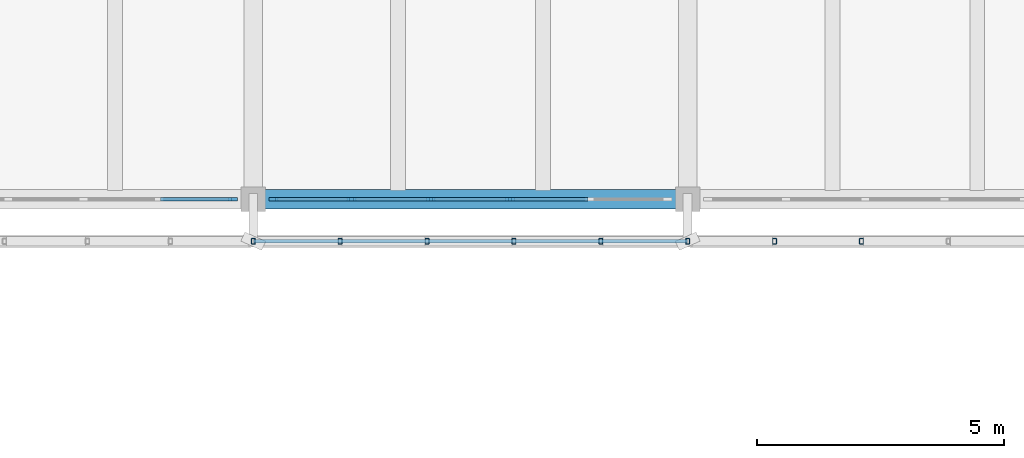
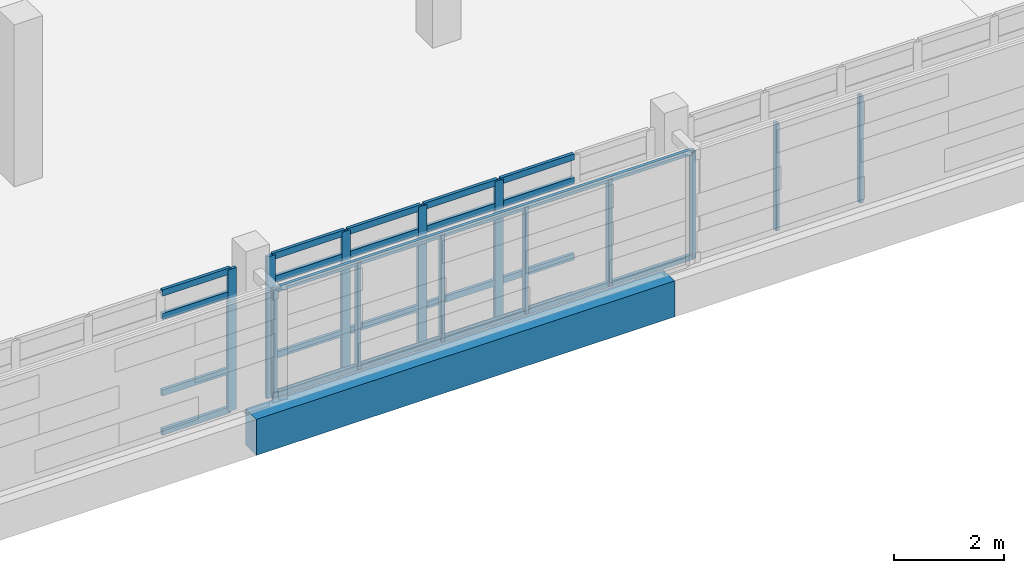
# One storey, part 12 of 50: 35 members, 1 beam, 2 elements without a shape of their own.
"""IFC4 building model written with IfcOpenShell, lengths in metres."""

from ifc_helpers import new_model, si_unit, direction, frame, origin, origin_2d, place, context, subcontext, project, spatial, rectangle, hollow_rectangle, extrude, material, material_profile, profile_set, type_object, element, aggregate, save


model = new_model("IFC4")

# Units and contexts
model_context = context("Model", 3, precision=1e-05, world=origin(), true_north=direction((0.0, 1.0)))
body_context = subcontext(model_context, "Body", "Model", "MODEL_VIEW")
ifc_project = project(units=[si_unit("LENGTHUNIT", "METRE"), si_unit("AREAUNIT", "SQUARE_METRE"), si_unit("VOLUMEUNIT", "CUBIC_METRE"), si_unit("PLANEANGLEUNIT", "RADIAN"), si_unit("MASSUNIT", "GRAM", prefix="KILO")], contexts=[model_context])

# Site, building, storey
site_placement = place(None, origin())
site = spatial("IfcSite", under=ifc_project, at=site_placement, CompositionType="ELEMENT")
building_placement = place(site_placement, origin())
building = spatial("IfcBuilding", under=site, at=building_placement, Name="Cinderway Yard Community Centre", CompositionType="ELEMENT")
storey_placement = place(building_placement, frame((0.0, 0.0, 12.89990234375)))
storey = spatial("IfcBuildingStorey", under=building, at=storey_placement, Name="L03", CompositionType="ELEMENT", Elevation=12.89990234375)

# Curtain wall, member
ifc_material_1 = material(Name="Aluminium 6063-T6", Category="aluminium")
curtain_wall_type_1 = type_object("IfcCurtainWallType", Name="ENV-CW-TYPE-32", PredefinedType="USERDEFINED", material=ifc_material_1)
curtain_wall_1_placement = place(storey_placement, origin())
curtain_wall_1 = element("IfcCurtainWall", 1, at=curtain_wall_1_placement, inside=storey, type_object=curtain_wall_type_1, Name="V4 Courtyard Curtain Wall ENV-CW-L03-HS-0164", ObjectType="GLAZED CURTAIN WALL", PredefinedType="USERDEFINED")
ifc_material_profile_1 = material_profile(ifc_material_1, rectangle(XDim=0.06494140625, YDim=0.179931640625, at=origin_2d()), Name="Aluminium 6063-T6")
ifc_profile_set_1 = profile_set([ifc_material_profile_1], Name="Aluminium 6063-T6")
member_type_1 = type_object("IfcMemberType", Name="ENV-CW-MULL-180", PredefinedType="MULLION", material=ifc_profile_set_1)
member_1_placement = place(storey_placement, frame((74.7900390625, 90.0, 0.0), z_axis=(0.0, 0.0, 1.0), x_axis=(0.0, 1.0, 0.0)))
member_1 = element("IfcMember", 2, at=member_1_placement, type_object=member_type_1, Name="CW-32 mullion 6", PredefinedType="MULLION", context=body_context, shape_type="SweptSolid", body=[
    extrude(rectangle(XDim=0.06494140625, YDim=0.179931640625, at=origin_2d()), origin(), (0.0, 0.0, 1.0), 3.150146484375),
])

# Curtain wall, members
curtain_wall_type_2 = type_object("IfcCurtainWallType", Name="ENV-CW-TYPE-33", PredefinedType="USERDEFINED", material=ifc_material_1)
curtain_wall_2_placement = place(storey_placement, origin())
curtain_wall_2 = element("IfcCurtainWall", 3, at=curtain_wall_2_placement, inside=storey, type_object=curtain_wall_type_2, Name="V4 Courtyard Curtain Wall ENV-CW-L03-HS-0165", ObjectType="GLAZED CURTAIN WALL", PredefinedType="USERDEFINED")
member_2_placement = place(storey_placement, frame((75.610107421875, 90.0, 0.0), z_axis=(0.0, 0.0, 1.0), x_axis=(0.0, 1.0, 0.0)))
member_2 = element("IfcMember", 4, at=member_2_placement, type_object=member_type_1, Name="CW-33 mullion 1", PredefinedType="MULLION", context=body_context, shape_type="SweptSolid", body=[
    extrude(rectangle(XDim=0.06494140625, YDim=0.179931640625, at=origin_2d()), origin(), (0.0, 0.0, 1.0), 3.150146484375),
])
member_3_placement = place(storey_placement, frame((77.18798828125, 90.0, 0.0), z_axis=(0.0, 0.0, 1.0), x_axis=(0.0, 1.0, 0.0)))
member_3 = element("IfcMember", 5, at=member_3_placement, type_object=member_type_1, Name="CW-33 mullion 2", PredefinedType="MULLION", context=body_context, shape_type="SweptSolid", body=[
    extrude(rectangle(XDim=0.06494140625, YDim=0.179931640625, at=origin_2d()), origin(), (0.0, 0.0, 1.0), 3.150146484375),
])
member_4_placement = place(storey_placement, frame((78.7958984375, 90.0, 0.0), z_axis=(0.0, 0.0, 1.0), x_axis=(0.0, 1.0, 0.0)))
member_4 = element("IfcMember", 6, at=member_4_placement, type_object=member_type_1, Name="CW-33 mullion 3", PredefinedType="MULLION", context=body_context, shape_type="SweptSolid", body=[
    extrude(rectangle(XDim=0.06494140625, YDim=0.179931640625, at=origin_2d()), origin(), (0.0, 0.0, 1.0), 3.150146484375),
])
member_5_placement = place(storey_placement, frame((80.404052734375, 90.0, 0.0), z_axis=(0.0, 0.0, 1.0), x_axis=(0.0, 1.0, 0.0)))
member_5 = element("IfcMember", 7, at=member_5_placement, type_object=member_type_1, Name="CW-33 mullion 4", PredefinedType="MULLION", context=body_context, shape_type="SweptSolid", body=[
    extrude(rectangle(XDim=0.06494140625, YDim=0.179931640625, at=origin_2d()), origin(), (0.0, 0.0, 1.0), 3.150146484375),
])

# Member
ifc_material_profile_2 = material_profile(ifc_material_1, rectangle(XDim=0.06494140625, YDim=0.139892578125, at=origin_2d()), Name="Aluminium 6063-T6")
ifc_profile_set_2 = profile_set([ifc_material_profile_2], Name="Aluminium 6063-T6")
member_type_2 = type_object("IfcMemberType", Name="ENV-CW-TRAN-140", PredefinedType="USERDEFINED", material=ifc_profile_set_2)
member_6_placement = place(storey_placement, frame((73.322021484375, 90.0, 0.030029296875), z_axis=(1.0, 0.0, 0.0), x_axis=(0.0, 1.0, 0.0)))
member_6 = element("IfcMember", 8, at=member_6_placement, type_object=member_type_2, Name="CW-32 transom 5.1", ObjectType="TRANSOM", PredefinedType="USERDEFINED", context=body_context, shape_type="SweptSolid", body=[
    extrude(rectangle(XDim=0.06494140625, YDim=0.139892578125, at=origin_2d()), origin(), (0.0, 0.0, 1.0), 1.43798828125),
])

member_7_placement = place(storey_placement, frame((73.322021484375, 90.0, 0.900146484375), z_axis=(1.0, 0.0, 0.0), x_axis=(0.0, 1.0, 0.0)))
member_7 = element("IfcMember", 9, at=member_7_placement, type_object=member_type_2, Name="CW-32 transom 5.2", ObjectType="TRANSOM", PredefinedType="USERDEFINED", context=body_context, shape_type="SweptSolid", body=[
    extrude(rectangle(XDim=0.06494140625, YDim=0.139892578125, at=origin_2d()), origin(), (0.0, 0.0, 1.0), 1.43798828125),
])

member_8_placement = place(storey_placement, frame((73.322021484375, 90.0, 2.60009765625), z_axis=(1.0, 0.0, 0.0), x_axis=(0.0, 1.0, 0.0)))
member_8 = element("IfcMember", 10, at=member_8_placement, type_object=member_type_2, Name="CW-32 transom 5.3", ObjectType="TRANSOM", PredefinedType="USERDEFINED", context=body_context, shape_type="SweptSolid", body=[
    extrude(rectangle(XDim=0.06494140625, YDim=0.139892578125, at=origin_2d()), origin(), (0.0, 0.0, 1.0), 1.43798828125),
])

member_9_placement = place(storey_placement, frame((73.322021484375, 90.0, 3.1201171875), z_axis=(1.0, 0.0, 0.0), x_axis=(0.0, 1.0, 0.0)))
member_9 = element("IfcMember", 11, at=member_9_placement, type_object=member_type_2, Name="CW-32 transom 5.4", ObjectType="TRANSOM", PredefinedType="USERDEFINED", context=body_context, shape_type="SweptSolid", body=[
    extrude(rectangle(XDim=0.06494140625, YDim=0.139892578125, at=origin_2d()), origin(), (0.0, 0.0, 1.0), 1.43798828125),
])

aggregate(curtain_wall_1, [member_1, member_6, member_7, member_8, member_9])

member_10_placement = place(storey_placement, frame((75.639892578125, 90.0, 0.030029296875), z_axis=(1.0, 0.0, 0.0), x_axis=(0.0, 1.0, 0.0)))
member_10 = element("IfcMember", 12, at=member_10_placement, type_object=member_type_2, Name="CW-33 transom 1.1", ObjectType="TRANSOM", PredefinedType="USERDEFINED", context=body_context, shape_type="SweptSolid", body=[
    extrude(rectangle(XDim=0.06494140625, YDim=0.139892578125, at=origin_2d()), origin(), (0.0, 0.0, 1.0), 1.51806640625),
])

member_11_placement = place(storey_placement, frame((75.639892578125, 90.0, 0.900146484375), z_axis=(1.0, 0.0, 0.0), x_axis=(0.0, 1.0, 0.0)))
member_11 = element("IfcMember", 13, at=member_11_placement, type_object=member_type_2, Name="CW-33 transom 1.2", ObjectType="TRANSOM", PredefinedType="USERDEFINED", context=body_context, shape_type="SweptSolid", body=[
    extrude(rectangle(XDim=0.06494140625, YDim=0.139892578125, at=origin_2d()), origin(), (0.0, 0.0, 1.0), 1.51806640625),
])

member_12_placement = place(storey_placement, frame((75.639892578125, 90.0, 2.60009765625), z_axis=(1.0, 0.0, 0.0), x_axis=(0.0, 1.0, 0.0)))
member_12 = element("IfcMember", 14, at=member_12_placement, type_object=member_type_2, Name="CW-33 transom 1.3", ObjectType="TRANSOM", PredefinedType="USERDEFINED", context=body_context, shape_type="SweptSolid", body=[
    extrude(rectangle(XDim=0.06494140625, YDim=0.139892578125, at=origin_2d()), origin(), (0.0, 0.0, 1.0), 1.51806640625),
])

member_13_placement = place(storey_placement, frame((75.639892578125, 90.0, 3.1201171875), z_axis=(1.0, 0.0, 0.0), x_axis=(0.0, 1.0, 0.0)))
member_13 = element("IfcMember", 15, at=member_13_placement, type_object=member_type_2, Name="CW-33 transom 1.4", ObjectType="TRANSOM", PredefinedType="USERDEFINED", context=body_context, shape_type="SweptSolid", body=[
    extrude(rectangle(XDim=0.06494140625, YDim=0.139892578125, at=origin_2d()), origin(), (0.0, 0.0, 1.0), 1.51806640625),
])

member_14_placement = place(storey_placement, frame((77.218017578125, 90.0, 0.030029296875), z_axis=(1.0, 0.0, 0.0), x_axis=(0.0, 1.0, 0.0)))
member_14 = element("IfcMember", 16, at=member_14_placement, type_object=member_type_2, Name="CW-33 transom 2.1", ObjectType="TRANSOM", PredefinedType="USERDEFINED", context=body_context, shape_type="SweptSolid", body=[
    extrude(rectangle(XDim=0.06494140625, YDim=0.139892578125, at=origin_2d()), origin(), (0.0, 0.0, 1.0), 1.548095703125),
])

member_15_placement = place(storey_placement, frame((77.218017578125, 90.0, 0.900146484375), z_axis=(1.0, 0.0, 0.0), x_axis=(0.0, 1.0, 0.0)))
member_15 = element("IfcMember", 17, at=member_15_placement, type_object=member_type_2, Name="CW-33 transom 2.2", ObjectType="TRANSOM", PredefinedType="USERDEFINED", context=body_context, shape_type="SweptSolid", body=[
    extrude(rectangle(XDim=0.06494140625, YDim=0.139892578125, at=origin_2d()), origin(), (0.0, 0.0, 1.0), 1.548095703125),
])

member_16_placement = place(storey_placement, frame((77.218017578125, 90.0, 2.60009765625), z_axis=(1.0, 0.0, 0.0), x_axis=(0.0, 1.0, 0.0)))
member_16 = element("IfcMember", 18, at=member_16_placement, type_object=member_type_2, Name="CW-33 transom 2.3", ObjectType="TRANSOM", PredefinedType="USERDEFINED", context=body_context, shape_type="SweptSolid", body=[
    extrude(rectangle(XDim=0.06494140625, YDim=0.139892578125, at=origin_2d()), origin(), (0.0, 0.0, 1.0), 1.548095703125),
])

member_17_placement = place(storey_placement, frame((77.218017578125, 90.0, 3.1201171875), z_axis=(1.0, 0.0, 0.0), x_axis=(0.0, 1.0, 0.0)))
member_17 = element("IfcMember", 19, at=member_17_placement, type_object=member_type_2, Name="CW-33 transom 2.4", ObjectType="TRANSOM", PredefinedType="USERDEFINED", context=body_context, shape_type="SweptSolid", body=[
    extrude(rectangle(XDim=0.06494140625, YDim=0.139892578125, at=origin_2d()), origin(), (0.0, 0.0, 1.0), 1.548095703125),
])

member_18_placement = place(storey_placement, frame((78.825927734375, 90.0, 0.030029296875), z_axis=(1.0, 0.0, 0.0), x_axis=(0.0, 1.0, 0.0)))
member_18 = element("IfcMember", 20, at=member_18_placement, type_object=member_type_2, Name="CW-33 transom 3.1", ObjectType="TRANSOM", PredefinedType="USERDEFINED", context=body_context, shape_type="SweptSolid", body=[
    extrude(rectangle(XDim=0.06494140625, YDim=0.139892578125, at=origin_2d()), origin(), (0.0, 0.0, 1.0), 1.548095703125),
])

member_19_placement = place(storey_placement, frame((78.825927734375, 90.0, 0.900146484375), z_axis=(1.0, 0.0, 0.0), x_axis=(0.0, 1.0, 0.0)))
member_19 = element("IfcMember", 21, at=member_19_placement, type_object=member_type_2, Name="CW-33 transom 3.2", ObjectType="TRANSOM", PredefinedType="USERDEFINED", context=body_context, shape_type="SweptSolid", body=[
    extrude(rectangle(XDim=0.06494140625, YDim=0.139892578125, at=origin_2d()), origin(), (0.0, 0.0, 1.0), 1.548095703125),
])

member_20_placement = place(storey_placement, frame((78.825927734375, 90.0, 2.60009765625), z_axis=(1.0, 0.0, 0.0), x_axis=(0.0, 1.0, 0.0)))
member_20 = element("IfcMember", 22, at=member_20_placement, type_object=member_type_2, Name="CW-33 transom 3.3", ObjectType="TRANSOM", PredefinedType="USERDEFINED", context=body_context, shape_type="SweptSolid", body=[
    extrude(rectangle(XDim=0.06494140625, YDim=0.139892578125, at=origin_2d()), origin(), (0.0, 0.0, 1.0), 1.548095703125),
])

member_21_placement = place(storey_placement, frame((78.825927734375, 90.0, 3.1201171875), z_axis=(1.0, 0.0, 0.0), x_axis=(0.0, 1.0, 0.0)))
member_21 = element("IfcMember", 23, at=member_21_placement, type_object=member_type_2, Name="CW-33 transom 3.4", ObjectType="TRANSOM", PredefinedType="USERDEFINED", context=body_context, shape_type="SweptSolid", body=[
    extrude(rectangle(XDim=0.06494140625, YDim=0.139892578125, at=origin_2d()), origin(), (0.0, 0.0, 1.0), 1.548095703125),
])

member_22_placement = place(storey_placement, frame((80.43408203125, 90.0, 0.030029296875), z_axis=(1.0, 0.0, 0.0), x_axis=(0.0, 1.0, 0.0)))
member_22 = element("IfcMember", 24, at=member_22_placement, type_object=member_type_2, Name="CW-33 transom 4.1", ObjectType="TRANSOM", PredefinedType="USERDEFINED", context=body_context, shape_type="SweptSolid", body=[
    extrude(rectangle(XDim=0.06494140625, YDim=0.139892578125, at=origin_2d()), origin(), (0.0, 0.0, 1.0), 1.5478515625),
])

member_23_placement = place(storey_placement, frame((80.43408203125, 90.0, 0.900146484375), z_axis=(1.0, 0.0, 0.0), x_axis=(0.0, 1.0, 0.0)))
member_23 = element("IfcMember", 25, at=member_23_placement, type_object=member_type_2, Name="CW-33 transom 4.2", ObjectType="TRANSOM", PredefinedType="USERDEFINED", context=body_context, shape_type="SweptSolid", body=[
    extrude(rectangle(XDim=0.06494140625, YDim=0.139892578125, at=origin_2d()), origin(), (0.0, 0.0, 1.0), 1.5478515625),
])

member_24_placement = place(storey_placement, frame((80.43408203125, 90.0, 2.60009765625), z_axis=(1.0, 0.0, 0.0), x_axis=(0.0, 1.0, 0.0)))
member_24 = element("IfcMember", 26, at=member_24_placement, type_object=member_type_2, Name="CW-33 transom 4.3", ObjectType="TRANSOM", PredefinedType="USERDEFINED", context=body_context, shape_type="SweptSolid", body=[
    extrude(rectangle(XDim=0.06494140625, YDim=0.139892578125, at=origin_2d()), origin(), (0.0, 0.0, 1.0), 1.5478515625),
])

member_25_placement = place(storey_placement, frame((80.43408203125, 90.0, 3.1201171875), z_axis=(1.0, 0.0, 0.0), x_axis=(0.0, 1.0, 0.0)))
member_25 = element("IfcMember", 27, at=member_25_placement, type_object=member_type_2, Name="CW-33 transom 4.4", ObjectType="TRANSOM", PredefinedType="USERDEFINED", context=body_context, shape_type="SweptSolid", body=[
    extrude(rectangle(XDim=0.06494140625, YDim=0.139892578125, at=origin_2d()), origin(), (0.0, 0.0, 1.0), 1.5478515625),
])

aggregate(curtain_wall_2, [member_2, member_3, member_4, member_5, member_10, member_11, member_12, member_13, member_14, member_15, member_16, member_17, member_18, member_19, member_20, member_21, member_22, member_23, member_24, member_25])

# Members
ifc_material_2 = material(Name="Steel S355", Category="steel")
ifc_material_profile_3 = material_profile(ifc_material_2, hollow_rectangle(XDim=0.080078125, YDim=0.1201171875, WallThickness=0.00634765625, InnerFilletRadius=0.00634765625, OuterFilletRadius=0.0126953125, at=origin_2d()), Name="Steel S355")
ifc_profile_set_3 = profile_set([ifc_material_profile_3], Name="Steel S355")
member_type_3 = type_object("IfcMemberType", Name="ENV-MEM-SCREEN-RAIL-120", PredefinedType="STRINGER", material=ifc_profile_set_3)
member_26_placement = place(storey_placement, frame((75.199951171875, 89.14990234375, 0.690185546875), z_axis=(0.0, 0.0, 1.0), x_axis=(1.0, 0.0, 0.0)))
element("IfcMember", 28, at=member_26_placement, inside=storey, type_object=member_type_3, Name="Screen vertical mullion 0510", PredefinedType="STRINGER", context=body_context, shape_type="SweptSolid", body=[
    extrude(hollow_rectangle(XDim=0.080078125, YDim=0.1201171875, WallThickness=0.00634765625, InnerFilletRadius=0.00634765625, OuterFilletRadius=0.0126953125, at=origin_2d()), origin(), (0.0, 0.0, 1.0), 2.369873046875),
])
for number, where, z_axis, x_axis, name in (
    (29, (75.199951171875, 89.14990234375, 0.710205078125), (1.0, 0.0, 0.0), (0.0, 1.0, 0.0), "Screen support rail 0512-BOT"),
    (30, (75.199951171875, 89.14990234375, 3.0400390625), (1.0, 0.0, 0.0), (0.0, 1.0, 0.0), "Screen support rail 0513-TOP"),
):
    element("IfcMember", number, at=place(storey_placement, frame(where, z_axis=z_axis, x_axis=x_axis)), inside=storey, type_object=member_type_3, Name=name, PredefinedType="STRINGER", context=body_context, shape_type="SweptSolid", body=[
        extrude(hollow_rectangle(XDim=0.080078125, YDim=0.1201171875, WallThickness=0.00634765625, InnerFilletRadius=0.00634765625, OuterFilletRadius=0.0126953125, at=origin_2d()), origin(), (0.0, 0.0, 1.0), 8.800048828125),
    ])
for number, where, z_axis, x_axis, name in (
    (31, (76.9599609375, 89.14990234375, 0.690185546875), (0.0, 0.0, 1.0), (1.0, 0.0, 0.0), "Screen vertical mullion 0514"),
    (32, (78.719970703125, 89.14990234375, 0.690185546875), (0.0, 0.0, 1.0), (1.0, 0.0, 0.0), "Screen vertical mullion 0515"),
    (33, (80.47998046875, 89.14990234375, 0.690185546875), (0.0, 0.0, 1.0), (1.0, 0.0, 0.0), "Screen vertical mullion 0516"),
    (34, (82.239990234375, 89.14990234375, 0.690185546875), (0.0, 0.0, 1.0), (1.0, 0.0, 0.0), "Screen vertical mullion 0517"),
    (35, (84.0, 89.14990234375, 0.690185546875), (0.0, 0.0, 1.0), (1.0, 0.0, 0.0), "Screen vertical mullion 0518"),
    (36, (85.760009765625, 89.14990234375, 0.690185546875), (0.0, 0.0, 1.0), (1.0, 0.0, 0.0), "Screen vertical mullion 0522"),
    (37, (87.52001953125, 89.14990234375, 0.690185546875), (0.0, 0.0, 1.0), (1.0, 0.0, 0.0), "Screen vertical mullion 0523"),
):
    element("IfcMember", number, at=place(storey_placement, frame(where, z_axis=z_axis, x_axis=x_axis)), inside=storey, type_object=member_type_3, Name=name, PredefinedType="STRINGER", context=body_context, shape_type="SweptSolid", body=[
        extrude(hollow_rectangle(XDim=0.080078125, YDim=0.1201171875, WallThickness=0.00634765625, InnerFilletRadius=0.00634765625, OuterFilletRadius=0.0126953125, at=origin_2d()), origin(), (0.0, 0.0, 1.0), 2.369873046875),
    ])

# Beam
ifc_material_3 = material(Name="Concrete C40/50", Category="concrete")
ifc_material_profile_4 = material_profile(ifc_material_3, rectangle(XDim=0.39990234375, YDim=0.800048828125, at=origin_2d()), Name="Concrete C40/50")
ifc_profile_set_4 = profile_set([ifc_material_profile_4], Name="Concrete C40/50")
beam_type = type_object("IfcBeamType", Name="STR-BM-RC400X800", PredefinedType="BEAM", material=ifc_profile_set_4)
beam_placement = place(storey_placement, frame((75.199951171875, 90.0, -0.639892578125), z_axis=(1.0, 0.0, 0.0), x_axis=(0.0, 1.0, 0.0)))
element("IfcBeam", 38, at=beam_placement, inside=storey, type_object=beam_type, Name="Primary girder STR-BM-L03-BG05-0674", PredefinedType="BEAM", context=body_context, shape_type="SweptSolid", body=[
    extrude(rectangle(XDim=0.39990234375, YDim=0.800048828125, at=origin_2d()), origin(), (0.0, 0.0, 1.0), 8.800048828125),
])

save(model, "model.ifc")
